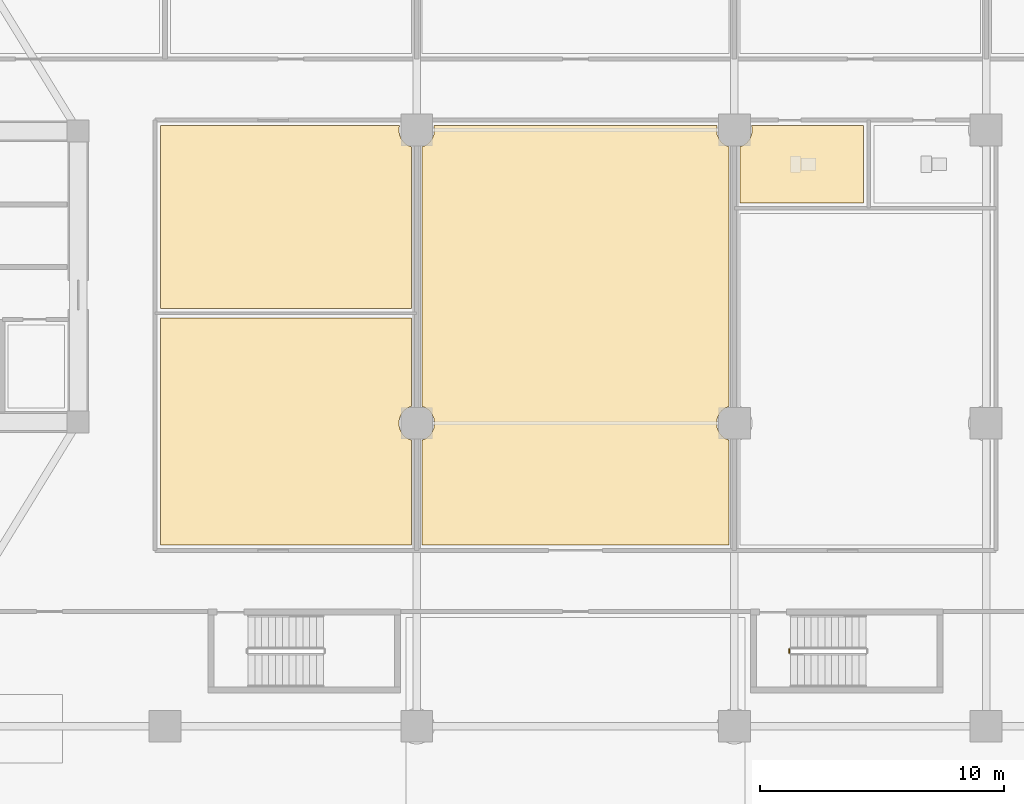
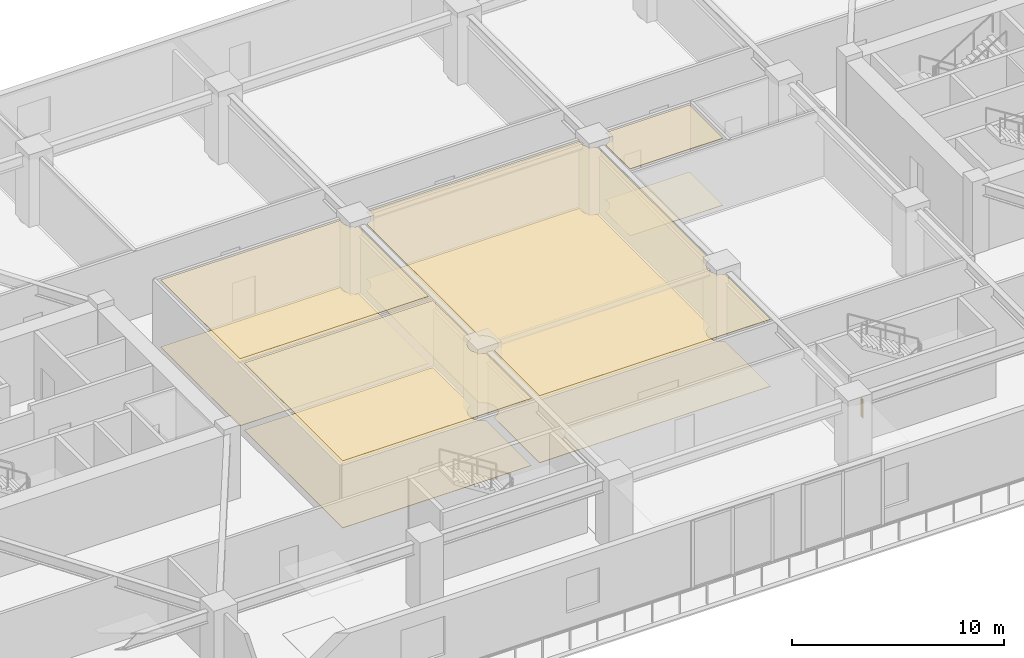
# One storey, part 16 of 22: 8 coverings, 1 railing.
"""IFC4 building model written with IfcOpenShell, lengths in metres."""

import ifcopenshell
import ifcopenshell.guid

model = None  # the IFC model being written
_history = None  # IfcOwnerHistory: only IFC2X3 demands one
_inside = {}  # id of a spatial element -> (the spatial element, [elements in it])
_under = {}  # id of a project, library or spatial element -> (it, [spatial elements below it])
_declared = {}  # id of a project -> (the project, [libraries it declares])
_typed = {}  # id of a type object -> (the type object, [elements of that type])
_made_of = {}  # id of a material, layer set ... -> (it, [elements and type objects made of it])


def new_model(schema):
    """Start an empty IFC model of exactly this schema.

    Asked for "IFC4X3", IfcOpenShell would pick the latest addendum, in which some entities
    have other attributes; the version numbers below select the first issue.
    IFC2X3 requires an IfcOwnerHistory on every rooted entity: one is made here for all.
    """
    global model, _history
    if schema == "IFC4X3":
        model = ifcopenshell.file(schema_version=(4, 3, 0, 0))
    else:
        model = ifcopenshell.file(schema=schema)
    _inside.clear()
    _under.clear()
    _declared.clear()
    _typed.clear()
    _made_of.clear()
    _history = None
    if model.schema == "IFC2X3":
        org = make("IfcOrganization", Name="unknown")
        user = make(
            "IfcPersonAndOrganization",
            ThePerson=make("IfcPerson", FamilyName="unknown"),
            TheOrganization=org,
        )
        app = make(
            "IfcApplication",
            ApplicationDeveloper=org,
            Version="unknown",
            ApplicationFullName="unknown",
            ApplicationIdentifier="unknown",
        )
        _history = make(
            "IfcOwnerHistory",
            OwningUser=user,
            OwningApplication=app,
            ChangeAction="ADDED",
            CreationDate=0,
        )
    return model


def make(cls, **values):
    """One entity of the class cls with the attributes given. An attribute that is None is left unset."""
    return model.create_entity(
        cls, **{name: value for name, value in values.items() if value is not None}
    )


def rooted(cls, **values):
    """An entity with a GlobalId (a new one), such as an element, a storey or a relation."""
    return make(cls, GlobalId=ifcopenshell.guid.new(), OwnerHistory=_history, **values)


def si_unit(unit_type, name, prefix=None):
    """IfcSIUnit, for example si_unit("LENGTHUNIT", "METRE", prefix="MILLI")."""
    return make("IfcSIUnit", UnitType=unit_type, Prefix=prefix, Name=name)


def assignment(units):
    """IfcUnitAssignment: the units of a project."""
    return None if units is None else make("IfcUnitAssignment", Units=units)


def point(xyz):
    """IfcCartesianPoint."""
    return None if xyz is None else make("IfcCartesianPoint", Coordinates=xyz)


def direction(xyz):
    """IfcDirection."""
    return None if xyz is None else make("IfcDirection", DirectionRatios=xyz)


def frame(location, z_axis=None, x_axis=None):
    """IfcAxis2Placement3D, a coordinate frame: its origin and axes. An axis left out is left unset."""
    return make(
        "IfcAxis2Placement3D",
        Location=point(location),
        Axis=direction(z_axis),
        RefDirection=direction(x_axis),
    )


def frame_2d(location, x_axis=None):
    """IfcAxis2Placement2D, a coordinate frame in the plane: its origin and x axis."""
    return make(
        "IfcAxis2Placement2D", Location=point(location), RefDirection=direction(x_axis)
    )


def origin():
    """The frame at (0, 0, 0) with its axes left unset."""
    return frame((0.0, 0.0, 0.0))


def origin_2d():
    """The frame at (0, 0) in the plane with its x axis left unset."""
    return frame_2d((0.0, 0.0))


def place(relative_to, where):
    """IfcLocalPlacement: puts the frame where relative to a parent placement (None: the world)."""
    return make(
        "IfcLocalPlacement", PlacementRelTo=relative_to, RelativePlacement=where
    )


def context(
    kind, dimensions, precision=None, world=None, true_north=None, identifier=None
):
    """IfcGeometricRepresentationContext, for example the 3D "Model" context."""
    return make(
        "IfcGeometricRepresentationContext",
        ContextIdentifier=identifier,
        ContextType=kind,
        CoordinateSpaceDimension=dimensions,
        Precision=precision,
        WorldCoordinateSystem=world,
        TrueNorth=true_north,
    )


def subcontext(parent, identifier, kind, view, scale=None):
    """IfcGeometricRepresentationSubContext, for example "Body" below "Model"."""
    return make(
        "IfcGeometricRepresentationSubContext",
        ContextIdentifier=identifier,
        ContextType=kind,
        ParentContext=parent,
        TargetScale=scale,
        TargetView=view,
    )


def project(units=None, contexts=None):
    """IfcProject with its units and contexts."""
    return rooted(
        "IfcProject",
        Name="project",
        RepresentationContexts=contexts,
        UnitsInContext=assignment(units),
    )


def spatial(cls, under=None, at=None, **own):
    """A site, building, storey or space (cls), placed at a placement, below another one or the project."""
    s = rooted(cls, ObjectPlacement=at, **own)
    if under is not None:
        _under.setdefault(under.id(), (under, []))[1].append(s)
    return s


def polyline(points):
    """IfcPolyline through the points."""
    return make("IfcPolyline", Points=[point(p) for p in points])


def profile(cls, at=None, kind="AREA", **sizes):
    """A parametric profile (cls). Its sizes go by their IFC names, for example OverallWidth=200.0."""
    return make(cls, ProfileType=kind, Position=at, **sizes)


def rectangle(**sizes):
    """IfcRectangleProfileDef."""
    return profile("IfcRectangleProfileDef", **sizes)


def outline(outer, holes=None, kind="AREA"):
    """IfcArbitraryClosedProfileDef: a profile drawn as a closed curve; with holes, ...WithVoids."""
    if holes is None:
        return make("IfcArbitraryClosedProfileDef", ProfileType=kind, OuterCurve=outer)
    return make(
        "IfcArbitraryProfileDefWithVoids",
        ProfileType=kind,
        OuterCurve=outer,
        InnerCurves=holes,
    )


def extrude(swept, where, along, depth):
    """IfcExtrudedAreaSolid: the profile swept, set in the frame where, extruded along a direction by depth."""
    return make(
        "IfcExtrudedAreaSolid",
        SweptArea=swept,
        Position=where,
        ExtrudedDirection=direction(along),
        Depth=depth,
    )


def shape(context_of_items, identifier, shape_type, items):
    """IfcShapeRepresentation: the items that make up one representation, for example the "Body"."""
    return make(
        "IfcShapeRepresentation",
        ContextOfItems=context_of_items,
        RepresentationIdentifier=identifier,
        RepresentationType=shape_type,
        Items=items,
    )


def material(Name=None, Category=None):
    """IfcMaterial."""
    return make("IfcMaterial", Name=Name, Category=Category)


def layer(
    of_material, thickness, ventilated=None, Name=None, Category=None, Priority=None
):
    """IfcMaterialLayer: one layer of a wall or slab, of a material (None: an air gap)."""
    return make(
        "IfcMaterialLayer",
        Material=of_material,
        LayerThickness=thickness,
        IsVentilated=ventilated,
        Name=Name,
        Category=Category,
        Priority=Priority,
    )


def layer_set(layers, Name=None):
    """IfcMaterialLayerSet."""
    return make("IfcMaterialLayerSet", MaterialLayers=layers, LayerSetName=Name)


def made_of(thing, what):
    """Note that an element or type object is made of a material, layer set ...; save() writes the relation."""
    if what is not None:
        _made_of.setdefault(what.id(), (what, []))[1].append(thing)
    return thing


def type_object(cls, material=None, **own):
    """A type object (cls), such as IfcWallType, which elements share."""
    return made_of(rooted(cls, **own), material)


def element(
    cls,
    number,
    at=None,
    inside=None,
    cuts=None,
    type_object=None,
    material=None,
    context=None,
    identifier="Body",
    shape_type=None,
    held_by="IfcProductDefinitionShape",
    body=None,
    shapes=None,
    **own,
):
    """One element of the class cls, such as IfcWall. Its Tag is "e" and its number.

    at: its placement. inside: the storey or other place that contains it. cuts: it is an
    opening in that element (IfcRelVoidsElement). A single representation is given by context,
    identifier, shape_type and body (its items); several are given by shapes. held_by: the class
    of the entity that holds the representations. save() writes the other relations.
    """
    e = rooted(cls, Tag="e%d" % number, ObjectPlacement=at, **own)
    if body is not None:
        shapes = [shape(context, identifier, shape_type, body)]
    if shapes is not None:
        e.Representation = make(held_by, Representations=shapes)
    if inside is not None:
        _inside.setdefault(inside.id(), (inside, []))[1].append(e)
    if cuts is not None:
        rooted(
            "IfcRelVoidsElement", RelatingBuildingElement=cuts, RelatedOpeningElement=e
        )
    if type_object is not None:
        _typed.setdefault(type_object.id(), (type_object, []))[1].append(e)
    return made_of(e, material)


def aggregate(whole, parts):
    """IfcRelAggregates: a whole, such as a stair, and the parts it consists of."""
    return rooted("IfcRelAggregates", RelatingObject=whole, RelatedObjects=parts)


def save(model, path):
    """Write the relations noted so far, then the file.

    IfcRelAggregates (storeys below a building ...), IfcRelContainedInSpatialStructure (elements
    in a storey), IfcRelDefinesByType, IfcRelAssociatesMaterial and IfcRelDeclares: one each for
    every whole, place, type object, material and project.
    """
    for whole, parts in _under.values():
        aggregate(whole, parts)
    for where, things in _inside.values():
        rooted(
            "IfcRelContainedInSpatialStructure",
            RelatedElements=things,
            RelatingStructure=where,
        )
    for kind, things in _typed.values():
        rooted("IfcRelDefinesByType", RelatedObjects=things, RelatingType=kind)
    for what, things in _made_of.values():
        rooted("IfcRelAssociatesMaterial", RelatedObjects=things, RelatingMaterial=what)
    for by, libraries in _declared.values():
        rooted("IfcRelDeclares", RelatingContext=by, RelatedDefinitions=libraries)
    model.write(path)


model = new_model("IFC4")

# Units and contexts
model_context = context("Model", 3, precision=1e-05, world=origin(), true_north=direction((0.0, 1.0)))
body_context = subcontext(model_context, "Body", "Model", "MODEL_VIEW")
ifc_project = project(units=[si_unit("LENGTHUNIT", "METRE"), si_unit("AREAUNIT", "SQUARE_METRE"), si_unit("VOLUMEUNIT", "CUBIC_METRE"), si_unit("PLANEANGLEUNIT", "RADIAN"), si_unit("MASSUNIT", "GRAM", prefix="KILO")], contexts=[model_context])

# Site, building, storey
site_placement = place(None, origin())
site = spatial("IfcSite", under=ifc_project, at=site_placement, CompositionType="ELEMENT")
building_placement = place(site_placement, origin())
building = spatial("IfcBuilding", under=site, at=building_placement, Name="Norrkilde Senior Care Towers", CompositionType="ELEMENT")
storey_placement = place(building_placement, frame((0.0, 0.0, 4.199951171875)))
storey = spatial("IfcBuildingStorey", under=building, at=storey_placement, Name="L01", CompositionType="ELEMENT", Elevation=4.199951171875)

# Coverings
ifc_material_1 = material(Name="Gypsum Acoustic Board")
ifc_layer_1 = layer(ifc_material_1, 0.030029296875)
ifc_layer_set_1 = layer_set([ifc_layer_1], Name="Gypsum Acoustic Board")
covering_type_1 = type_object("IfcCoveringType", Name="Medical Cleanable Gypsum Ceiling 30", PredefinedType="CEILING", material=ifc_layer_set_1)
covering_1_placement = place(storey_placement, frame((0.0, 0.0, 3.85009765625)))
element("IfcCovering", 1, at=covering_1_placement, inside=storey, type_object=covering_type_1, Name="L01 Suspended Ceiling 0026", PredefinedType="CEILING", context=body_context, shape_type="SweptSolid", body=[
    extrude(outline(polyline([(-6.719970703125, -5.307861328125), (-6.864990234375, -5.367919921875), (-7.01611328125, -5.48388671875), (-7.132080078125, -5.635009765625), (-7.205078125, -5.81103515625), (-7.22998046875, -6.0), (-7.205078125, -6.18896484375), (-7.132080078125, -6.364990234375), (-7.01611328125, -6.51611328125), (-6.864990234375, -6.632080078125), (-6.719970703125, -6.692138671875), (-6.719970703125, -10.97998046875), (-16.97998046875, -10.97998046875), (-16.97998046875, -1.699951171875), (-6.719970703125, -1.699951171875), (-6.719970703125, -5.307861328125)])), origin(), (0.0, 0.0, 1.0), 0.030029296875),
])
covering_2_placement = place(storey_placement, frame((0.0, 0.0, 3.85009765625)))
element("IfcCovering", 2, at=covering_2_placement, inside=storey, type_object=covering_type_1, Name="L01 Suspended Ceiling 0027", PredefinedType="CEILING", context=body_context, shape_type="SweptSolid", body=[
    extrude(outline(polyline([(-6.719970703125, -1.300048828125), (-16.97998046875, -1.300048828125), (-16.97998046875, 6.179931640625), (-7.206298828125, 6.179931640625), (-7.22998046875, 6.0), (-7.205078125, 5.81103515625), (-7.132080078125, 5.635009765625), (-7.01611328125, 5.48388671875), (-6.864990234375, 5.367919921875), (-6.719970703125, 5.307861328125), (-6.719970703125, -1.300048828125)])), origin(), (0.0, 0.0, 1.0), 0.030029296875),
])
covering_3_placement = place(storey_placement, frame((0.0, 0.0, 3.85009765625)))
element("IfcCovering", 3, at=covering_3_placement, inside=storey, type_object=covering_type_1, Name="L01 Suspended Ceiling 0028", PredefinedType="CEILING", context=body_context, shape_type="SweptSolid", body=[
    extrude(outline(polyline([(-6.135009765625, -6.632080078125), (-5.98388671875, -6.51611328125), (-5.867919921875, -6.364990234375), (-5.794921875, -6.18896484375), (-5.77001953125, -6.0), (-5.794921875, -5.81103515625), (-5.867919921875, -5.635009765625), (-5.98388671875, -5.48388671875), (-6.135009765625, -5.367919921875), (-6.280029296875, -5.307861328125), (-6.280029296875, 5.307861328125), (-6.135009765625, 5.367919921875), (-5.98388671875, 5.48388671875), (-5.867919921875, 5.635009765625), (-5.794921875, 5.81103515625), (-5.77001953125, 6.0), (-5.793701171875, 6.179931640625), (5.793701171875, 6.179931640625), (5.77001953125, 6.0), (5.794921875, 5.81103515625), (5.867919921875, 5.635009765625), (5.98388671875, 5.48388671875), (6.135009765625, 5.367919921875), (6.280029296875, 5.307861328125), (6.280029296875, -5.307861328125), (6.135009765625, -5.367919921875), (5.98388671875, -5.48388671875), (5.867919921875, -5.635009765625), (5.794921875, -5.81103515625), (5.77001953125, -6.0), (5.794921875, -6.18896484375), (5.867919921875, -6.364990234375), (5.98388671875, -6.51611328125), (6.135009765625, -6.632080078125), (6.280029296875, -6.692138671875), (6.280029296875, -10.97998046875), (-6.280029296875, -10.97998046875), (-6.280029296875, -6.692138671875), (-6.135009765625, -6.632080078125)])), origin(), (0.0, 0.0, 1.0), 0.030029296875),
])
covering_4_placement = place(storey_placement, frame((0.0, 0.0, 3.85009765625)))
element("IfcCovering", 4, at=covering_4_placement, inside=storey, type_object=covering_type_1, Name="L01 Suspended Ceiling 0029", PredefinedType="CEILING", context=body_context, shape_type="SweptSolid", body=[
    extrude(outline(polyline([(11.780029296875, 3.02001953125), (6.719970703125, 3.02001953125), (6.719970703125, 5.307861328125), (6.864990234375, 5.367919921875), (7.01611328125, 5.48388671875), (7.132080078125, 5.635009765625), (7.205078125, 5.81103515625), (7.22998046875, 6.0), (7.206298828125, 6.179931640625), (11.780029296875, 6.179931640625), (11.780029296875, 3.02001953125)])), origin(), (0.0, 0.0, 1.0), 0.030029296875),
])
ifc_material_2 = material(Name="Slip-Resistant Porcelain Stone", Category="masonry")
ifc_layer_2 = layer(ifc_material_2, 0.02490234375)
ifc_layer_set_2 = layer_set([ifc_layer_2], Name="Slip-Resistant Porcelain Stone")
covering_type_2 = type_object("IfcCoveringType", Name="Slip-Resistant Porcelain Flooring 25", PredefinedType="FLOORING", material=ifc_layer_set_2)
covering_5_placement = place(storey_placement, origin())
element("IfcCovering", 5, at=covering_5_placement, inside=storey, type_object=covering_type_2, Name="L01 Floor Finish 0026", PredefinedType="FLOORING", context=body_context, shape_type="SweptSolid", body=[
    extrude(outline(polyline([(-6.719970703125, -5.307861328125), (-6.864990234375, -5.367919921875), (-7.01611328125, -5.48388671875), (-7.132080078125, -5.635009765625), (-7.205078125, -5.81103515625), (-7.22998046875, -6.0), (-7.205078125, -6.18896484375), (-7.132080078125, -6.364990234375), (-7.01611328125, -6.51611328125), (-6.864990234375, -6.632080078125), (-6.719970703125, -6.692138671875), (-6.719970703125, -10.97998046875), (-16.97998046875, -10.97998046875), (-16.97998046875, -1.699951171875), (-6.719970703125, -1.699951171875), (-6.719970703125, -5.307861328125)])), origin(), (0.0, 0.0, 1.0), 0.025146484375),
])
covering_6_placement = place(storey_placement, origin())
element("IfcCovering", 6, at=covering_6_placement, inside=storey, type_object=covering_type_2, Name="L01 Floor Finish 0027", PredefinedType="FLOORING", context=body_context, shape_type="SweptSolid", body=[
    extrude(outline(polyline([(-6.719970703125, -1.300048828125), (-16.97998046875, -1.300048828125), (-16.97998046875, 6.179931640625), (-7.206298828125, 6.179931640625), (-7.22998046875, 6.0), (-7.205078125, 5.81103515625), (-7.132080078125, 5.635009765625), (-7.01611328125, 5.48388671875), (-6.864990234375, 5.367919921875), (-6.719970703125, 5.307861328125), (-6.719970703125, -1.300048828125)])), origin(), (0.0, 0.0, 1.0), 0.025146484375),
])
covering_7_placement = place(storey_placement, origin())
element("IfcCovering", 7, at=covering_7_placement, inside=storey, type_object=covering_type_2, Name="L01 Floor Finish 0028", PredefinedType="FLOORING", context=body_context, shape_type="SweptSolid", body=[
    extrude(outline(polyline([(-6.135009765625, -6.632080078125), (-5.98388671875, -6.51611328125), (-5.867919921875, -6.364990234375), (-5.794921875, -6.18896484375), (-5.77001953125, -6.0), (-5.794921875, -5.81103515625), (-5.867919921875, -5.635009765625), (-5.98388671875, -5.48388671875), (-6.135009765625, -5.367919921875), (-6.280029296875, -5.307861328125), (-6.280029296875, 5.307861328125), (-6.135009765625, 5.367919921875), (-5.98388671875, 5.48388671875), (-5.867919921875, 5.635009765625), (-5.794921875, 5.81103515625), (-5.77001953125, 6.0), (-5.793701171875, 6.179931640625), (5.793701171875, 6.179931640625), (5.77001953125, 6.0), (5.794921875, 5.81103515625), (5.867919921875, 5.635009765625), (5.98388671875, 5.48388671875), (6.135009765625, 5.367919921875), (6.280029296875, 5.307861328125), (6.280029296875, -5.307861328125), (6.135009765625, -5.367919921875), (5.98388671875, -5.48388671875), (5.867919921875, -5.635009765625), (5.794921875, -5.81103515625), (5.77001953125, -6.0), (5.794921875, -6.18896484375), (5.867919921875, -6.364990234375), (5.98388671875, -6.51611328125), (6.135009765625, -6.632080078125), (6.280029296875, -6.692138671875), (6.280029296875, -10.97998046875), (-6.280029296875, -10.97998046875), (-6.280029296875, -6.692138671875), (-6.135009765625, -6.632080078125)])), origin(), (0.0, 0.0, 1.0), 0.025146484375),
])
covering_8_placement = place(storey_placement, origin())
element("IfcCovering", 8, at=covering_8_placement, inside=storey, type_object=covering_type_2, Name="L01 Floor Finish 0029", PredefinedType="FLOORING", context=body_context, shape_type="SweptSolid", body=[
    extrude(outline(polyline([(11.780029296875, 3.02001953125), (6.719970703125, 3.02001953125), (6.719970703125, 5.307861328125), (6.864990234375, 5.367919921875), (7.01611328125, 5.48388671875), (7.132080078125, 5.635009765625), (7.205078125, 5.81103515625), (7.22998046875, 6.0), (7.206298828125, 6.179931640625), (11.780029296875, 6.179931640625), (11.780029296875, 3.02001953125)])), origin(), (0.0, 0.0, 1.0), 0.025146484375),
])

# Railing
ifc_material_3 = material(Name="Stainless Steel", Category="steel")
railing_type = type_object("IfcRailingType", Name="Stair and Terrace Guardrail 1100", PredefinedType="GUARDRAIL", material=ifc_material_3)
railing_placement = place(storey_placement, frame((8.75, -15.39990234375, 0.0)))
element("IfcRailing", 9, at=railing_placement, inside=storey, type_object=railing_type, Name="L01 ST-P2 stair guard 4", PredefinedType="GUARDRAIL", context=body_context, shape_type="SweptSolid", body=[
    extrude(rectangle(XDim=0.048095703125, YDim=0.048095703125, at=origin_2d()), frame((0.0, 0.0, 1.076171875), z_axis=(0.0, 1.0, 0.0), x_axis=(-1.0, 0.0, 0.0)), (0.0, 0.0, 1.0), 0.14990234375),
    extrude(rectangle(XDim=0.0419921875, YDim=0.0419921875, at=origin_2d()), origin(), (0.0, 0.0, 1.0), 1.050048828125),
    extrude(rectangle(XDim=0.0419921875, YDim=0.0419921875, at=origin_2d()), frame((0.0, 0.14990234375, 0.0)), (0.0, 0.0, 1.0), 1.050048828125),
])

save(model, "model.ifc")
